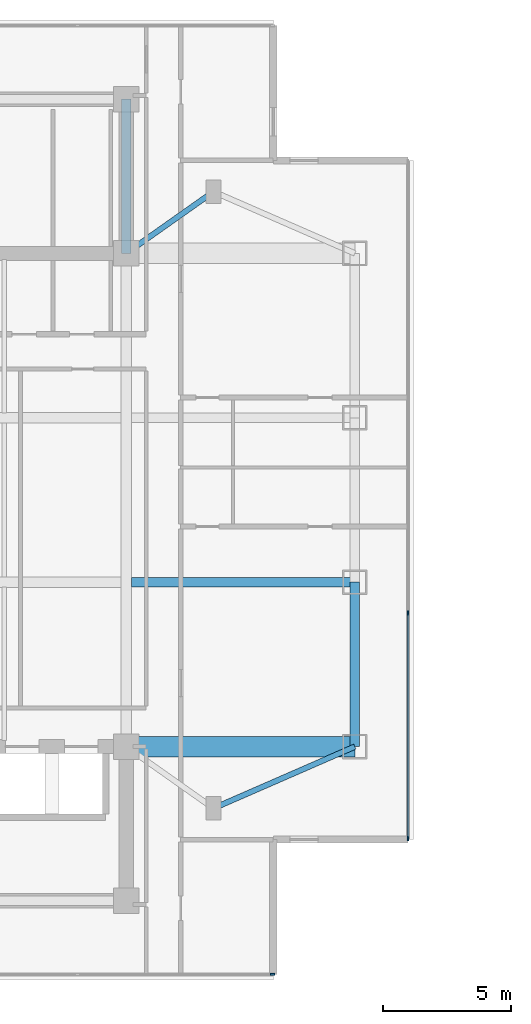
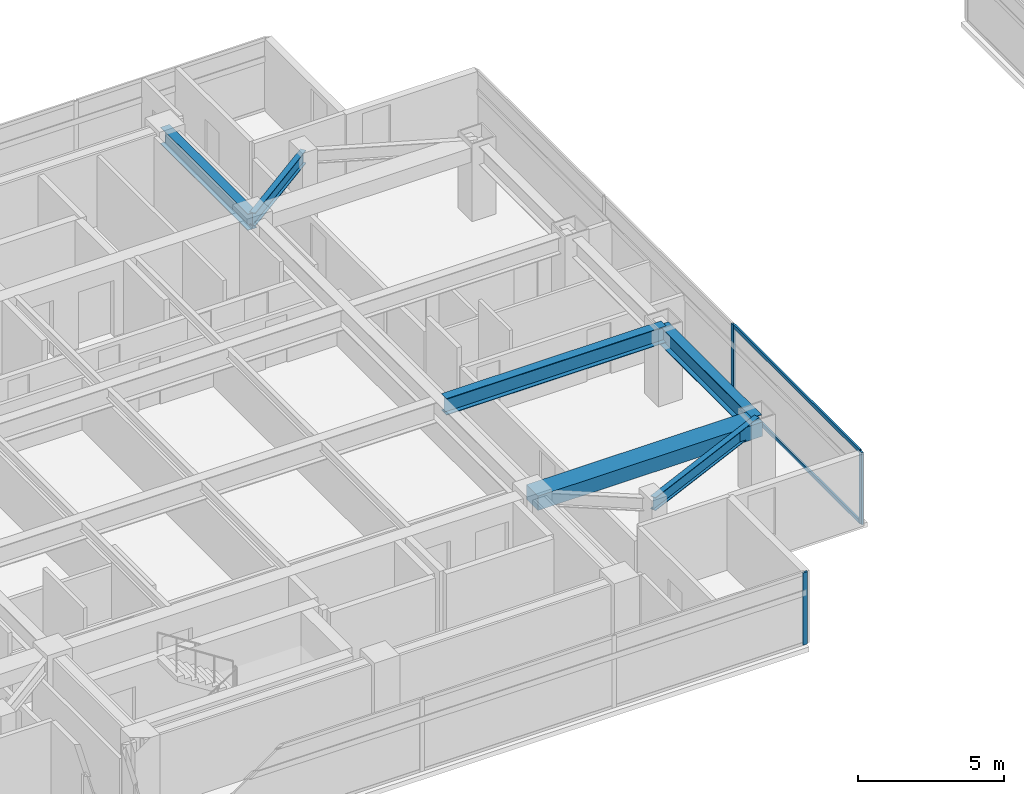
# One storey, part 4 of 24: 6 beams, 5 members, 2 elements without a shape of their own.
"""IFC4 building model written with IfcOpenShell, lengths in metres."""

from ifc_helpers import new_model, si_unit, direction, frame, origin, origin_2d, place, context, subcontext, project, spatial, rectangle, i_section, extrude, material, material_profile, profile_set, type_object, element, aggregate, save


model = new_model("IFC4")

# Units and contexts
model_context = context("Model", 3, precision=1e-05, world=origin(), true_north=direction((0.0, 1.0)))
body_context = subcontext(model_context, "Body", "Model", "MODEL_VIEW")
ifc_project = project(units=[si_unit("LENGTHUNIT", "METRE"), si_unit("AREAUNIT", "SQUARE_METRE"), si_unit("VOLUMEUNIT", "CUBIC_METRE"), si_unit("PLANEANGLEUNIT", "RADIAN"), si_unit("MASSUNIT", "GRAM", prefix="KILO")], contexts=[model_context])

# Site, building, storey
site_placement = place(None, origin())
site = spatial("IfcSite", under=ifc_project, at=site_placement, CompositionType="ELEMENT")
building_placement = place(site_placement, origin())
building = spatial("IfcBuilding", under=site, at=building_placement, Name="Mirazonda Arch Towers", CompositionType="ELEMENT")
storey_placement = place(building_placement, frame((0.0, 0.0, 164.14990234375)))
storey = spatial("IfcBuildingStorey", under=building, at=storey_placement, Name="L46", CompositionType="ELEMENT", Elevation=164.14990234375)

# Beams
ifc_material_1 = material(Name="Steel ASTM A992 Grade 50", Category="steel")
ifc_material_profile_1 = material_profile(ifc_material_1, i_section(OverallWidth=0.381103515625, OverallDepth=0.77294921875, WebThickness=0.0166015625, FlangeThickness=0.027099609375, at=origin_2d()), Name="W30X173")
ifc_profile_set_1 = profile_set([ifc_material_profile_1], Name="Steel ASTM A992 Grade 50")
beam_type_1 = type_object("IfcBeamType", Name="BM-EXT-W30X173", PredefinedType="USERDEFINED", material=ifc_profile_set_1)
beam_1_placement = place(storey_placement, frame((38.89990234375, 18.39990234375, 2.66357421875), z_axis=(0.0, 1.0, 0.0), x_axis=(-1.0, 0.0, 0.0)))
element("IfcBeam", 1, at=beam_1_placement, inside=storey, type_object=beam_type_1, Name="L46 Floor Beam BM-T1-L46-NS-E-18", ObjectType="GIRDER", PredefinedType="USERDEFINED", context=body_context, shape_type="SweptSolid", body=[
    extrude(i_section(OverallWidth=0.381103515625, OverallDepth=0.77294921875, WebThickness=0.0166015625, FlangeThickness=0.027099609375, at=origin_2d()), origin(), (0.0, 0.0, 1.0), 6.400146484375),
])
ifc_material_profile_2 = material_profile(ifc_material_1, i_section(OverallWidth=0.214111328125, OverallDepth=0.549072265625, WebThickness=0.0146484375, FlangeThickness=0.023681640625, at=origin_2d()), Name="W21X93")
ifc_profile_set_2 = profile_set([ifc_material_profile_2], Name="Steel ASTM A992 Grade 50")
beam_type_2 = type_object("IfcBeamType", Name="BM-INT-W21X93", PredefinedType="BEAM", material=ifc_profile_set_2)
beam_2_placement = place(storey_placement, frame((33.39990234375, 16.0, 2.775634765625), z_axis=(0.916545343703, 0.399930785183, 0.0), x_axis=(-0.399930785183, 0.916545343703, 0.0)))
element("IfcBeam", 2, at=beam_2_placement, inside=storey, type_object=beam_type_2, Name="L46 Floor Beam BM-T1-L46-PL-SE2", PredefinedType="BEAM", context=body_context, shape_type="SweptSolid", body=[
    extrude(i_section(OverallWidth=0.214111328125, OverallDepth=0.549072265625, WebThickness=0.0146484375, FlangeThickness=0.023681640625, at=origin_2d()), origin(), (0.0, 0.0, 1.0), 6.000732421875),
])
beam_3_placement = place(storey_placement, frame((33.39990234375, 40.0, 2.775634765625), z_axis=(-0.816971114901, -0.576678591087, 0.0), x_axis=(0.576678591087, -0.816971114901, 0.0)))
element("IfcBeam", 3, at=beam_3_placement, inside=storey, type_object=beam_type_2, Name="L46 Floor Beam BM-T1-L46-PL-NE1", PredefinedType="BEAM", context=body_context, shape_type="SweptSolid", body=[
    extrude(i_section(OverallWidth=0.214111328125, OverallDepth=0.549072265625, WebThickness=0.0146484375, FlangeThickness=0.023681640625, at=origin_2d()), origin(), (0.0, 0.0, 1.0), 4.16162109375),
])
ifc_material_profile_3 = material_profile(ifc_material_1, i_section(OverallWidth=0.35498046875, OverallDepth=0.696044921875, WebThickness=0.015380859375, FlangeThickness=0.02490234375, at=origin_2d()), Name="W27X146")
ifc_profile_set_3 = profile_set([ifc_material_profile_3], Name="Steel ASTM A992 Grade 50")
beam_type_3 = type_object("IfcBeamType", Name="BM-INT-W27X146", PredefinedType="BEAM", material=ifc_profile_set_3)
beam_4_placement = place(storey_placement, frame((30.199951171875, 24.800048828125, 2.7021484375), z_axis=(1.0, 0.0, 0.0), x_axis=(0.0, 1.0, 0.0)))
element("IfcBeam", 4, at=beam_4_placement, inside=storey, type_object=beam_type_3, Name="L46 Floor Beam BM-T1-L46-GE2", PredefinedType="BEAM", context=body_context, shape_type="SweptSolid", body=[
    extrude(i_section(OverallWidth=0.35498046875, OverallDepth=0.696044921875, WebThickness=0.015380859375, FlangeThickness=0.02490234375, at=origin_2d()), origin(), (0.0, 0.0, 1.0), 8.699951171875),
])
beam_5_placement = place(storey_placement, frame((30.0, 37.60009765625, 2.7021484375), z_axis=(0.0, 1.0, 0.0), x_axis=(-1.0, 0.0, 0.0)))
element("IfcBeam", 5, at=beam_5_placement, inside=storey, type_object=beam_type_3, Name="L46 Floor Beam BM-T1-L46-CNE", PredefinedType="BEAM", context=body_context, shape_type="SweptSolid", body=[
    extrude(i_section(OverallWidth=0.35498046875, OverallDepth=0.696044921875, WebThickness=0.015380859375, FlangeThickness=0.02490234375, at=origin_2d()), origin(), (0.0, 0.0, 1.0), 6.0),
])
ifc_material_2 = material(Name="Concrete C60/75", Category="concrete")
ifc_material_profile_4 = material_profile(ifc_material_2, rectangle(XDim=0.800048828125, YDim=0.60009765625, at=origin_2d()), Name="RCCB800x600")
ifc_profile_set_4 = profile_set([ifc_material_profile_4], Name="Concrete C60/75")
beam_type_4 = type_object("IfcBeamType", Name="CB-INT-RCCB800x600", PredefinedType="SPANDREL", material=ifc_profile_set_4)
beam_6_placement = place(storey_placement, frame((30.0, 18.39990234375, 2.75), z_axis=(1.0, 0.0, 0.0), x_axis=(0.0, 1.0, 0.0)))
element("IfcBeam", 6, at=beam_6_placement, inside=storey, type_object=beam_type_4, Name="L46 Floor Beam CBC-T1-L46-SE", PredefinedType="SPANDREL", context=body_context, shape_type="SweptSolid", body=[
    extrude(rectangle(XDim=0.800048828125, YDim=0.60009765625, at=origin_2d()), origin(), (0.0, 0.0, 1.0), 8.89990234375),
])

# Curtain wall, member
ifc_material_3 = material(Name="Anodised Aluminium and Low-E Glass", Category="aluminium")
curtain_wall_type = type_object("IfcCurtainWallType", Name="CW-RES-UNIT", PredefinedType="NOTDEFINED", material=ifc_material_3)
curtain_wall_1_placement = place(storey_placement, origin())
curtain_wall_1 = element("IfcCurtainWall", 7, at=curtain_wall_1_placement, inside=storey, type_object=curtain_wall_type, Name="L46 T1 S Facade CW-L46-T1-S", PredefinedType="NOTDEFINED")
ifc_material_4 = material(Name="Anodised Aluminium Alloy", Category="aluminium")
ifc_material_profile_5 = material_profile(ifc_material_4, rectangle(XDim=0.074951171875, YDim=0.175048828125, at=origin_2d()), Name="ALU-MULL-75x175")
ifc_profile_set_5 = profile_set([ifc_material_profile_5], Name="Anodised Aluminium Alloy")
member_type_1 = type_object("IfcMemberType", Name="MULL-CW-RES-UNIT", PredefinedType="MULLION", material=ifc_profile_set_5)
member_1_placement = place(storey_placement, frame((35.6875, 9.535888671875, 0.0), z_axis=(0.0, 0.0, 1.0), x_axis=(0.0, -1.0, 0.0)))
member_1 = element("IfcMember", 8, at=member_1_placement, type_object=member_type_1, Name="CW-104 mullion 1", PredefinedType="MULLION", context=body_context, shape_type="SweptSolid", body=[
    extrude(rectangle(XDim=0.074951171875, YDim=0.175048828125, at=origin_2d()), origin(), (0.0, 0.0, 1.0), 3.030029296875),
])
aggregate(curtain_wall_1, [member_1])

# Curtain wall, members
curtain_wall_2_placement = place(storey_placement, origin())
curtain_wall_2 = element("IfcCurtainWall", 9, at=curtain_wall_2_placement, inside=storey, type_object=curtain_wall_type, Name="L46 T1 E Facade CW-L46-T1-E", PredefinedType="NOTDEFINED")
member_2_placement = place(storey_placement, frame((40.969970703125, 14.818603515625, 0.0), z_axis=(0.0, 0.0, 1.0), x_axis=(-1.0, 0.0, 0.0)))
member_2 = element("IfcMember", 10, at=member_2_placement, type_object=member_type_1, Name="CW-104 mullion 1", PredefinedType="MULLION", context=body_context, shape_type="SweptSolid", body=[
    extrude(rectangle(XDim=0.074951171875, YDim=0.175048828125, at=origin_2d()), origin(), (0.0, 0.0, 1.0), 3.030029296875),
])
member_3_placement = place(storey_placement, frame((40.969970703125, 23.59375, 0.0), z_axis=(0.0, 0.0, 1.0), x_axis=(-1.0, 0.0, 0.0)))
member_3 = element("IfcMember", 11, at=member_3_placement, type_object=member_type_1, Name="CW-104 mullion 2", PredefinedType="MULLION", context=body_context, shape_type="SweptSolid", body=[
    extrude(rectangle(XDim=0.074951171875, YDim=0.175048828125, at=origin_2d()), origin(), (0.0, 0.0, 1.0), 3.030029296875),
])
ifc_material_profile_6 = material_profile(ifc_material_4, rectangle(XDim=0.074951171875, YDim=0.155029296875, at=origin_2d()), Name="ALU-TRAN-75x155")
ifc_profile_set_6 = profile_set([ifc_material_profile_6], Name="Anodised Aluminium Alloy")
member_type_2 = type_object("IfcMemberType", Name="TRAN-CW-RES-UNIT", PredefinedType="USERDEFINED", material=ifc_profile_set_6)
member_4_placement = place(storey_placement, frame((40.969970703125, 14.85595703125, 0.03759765625), z_axis=(0.0, 1.0, 0.0), x_axis=(-1.0, 0.0, 0.0)))
member_4 = element("IfcMember", 12, at=member_4_placement, type_object=member_type_2, Name="CW-104 transom 1.1", ObjectType="TRANSOM", PredefinedType="USERDEFINED", context=body_context, shape_type="SweptSolid", body=[
    extrude(rectangle(XDim=0.074951171875, YDim=0.155029296875, at=origin_2d()), origin(), (0.0, 0.0, 1.0), 8.7001953125),
])
member_5_placement = place(storey_placement, frame((40.969970703125, 14.85595703125, 2.99267578125), z_axis=(0.0, 1.0, 0.0), x_axis=(-1.0, 0.0, 0.0)))
member_5 = element("IfcMember", 13, at=member_5_placement, type_object=member_type_2, Name="CW-104 transom 1.2", ObjectType="TRANSOM", PredefinedType="USERDEFINED", context=body_context, shape_type="SweptSolid", body=[
    extrude(rectangle(XDim=0.074951171875, YDim=0.155029296875, at=origin_2d()), origin(), (0.0, 0.0, 1.0), 8.7001953125),
])
aggregate(curtain_wall_2, [member_2, member_3, member_4, member_5])

save(model, "model.ifc")
